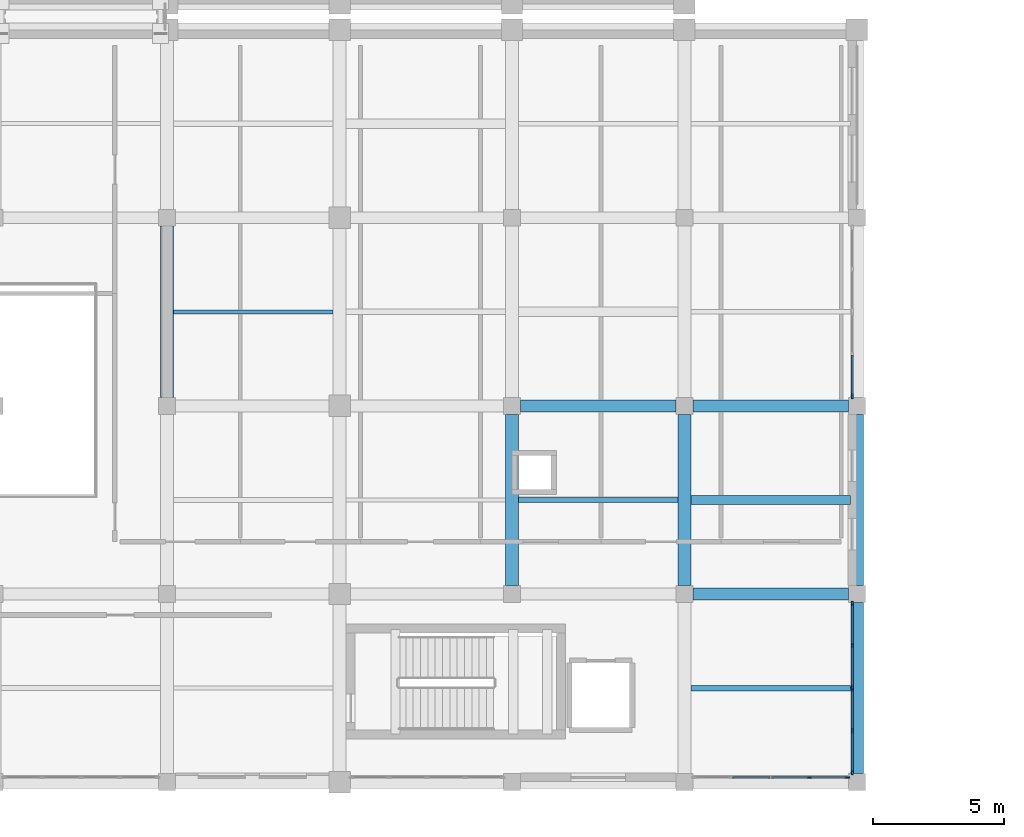
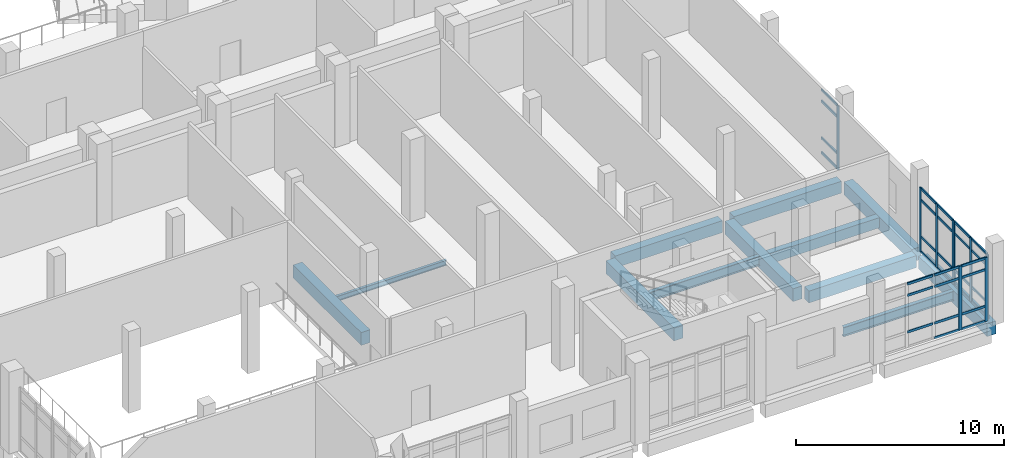
# One storey, part 10 of 73: 40 members, 12 beams, 4 elements without a shape of their own.
"""IFC4 building model written with IfcOpenShell, lengths in metres."""

from ifc_helpers import new_model, si_unit, direction, frame, origin, origin_2d, place, context, subcontext, project, spatial, rectangle, i_section, extrude, material, layer, layer_set, material_profile, profile_set, type_object, element, aggregate, save


model = new_model("IFC4")

# Units and contexts
model_context = context("Model", 3, precision=1e-05, world=origin(), true_north=direction((0.0, 1.0)))
body_context = subcontext(model_context, "Body", "Model", "MODEL_VIEW")
ifc_project = project(units=[si_unit("LENGTHUNIT", "METRE"), si_unit("AREAUNIT", "SQUARE_METRE"), si_unit("VOLUMEUNIT", "CUBIC_METRE"), si_unit("PLANEANGLEUNIT", "RADIAN"), si_unit("MASSUNIT", "GRAM", prefix="KILO")], contexts=[model_context])

# Site, building, storey
site_placement = place(None, origin())
site = spatial("IfcSite", under=ifc_project, at=site_placement, CompositionType="ELEMENT")
building_placement = place(site_placement, origin())
building = spatial("IfcBuilding", under=site, at=building_placement, Name="Kelarvand Opera House", CompositionType="ELEMENT")
storey_placement = place(building_placement, frame((0.0, 0.0, 10.199951171875)))
storey = spatial("IfcBuildingStorey", under=building, at=storey_placement, Name="L02", CompositionType="ELEMENT", Elevation=10.199951171875)

# Curtain wall, member
ifc_material_1 = material(Name="Thermally broken aluminium and low-E glazing", Category="aluminium")
ifc_layer_1 = layer(ifc_material_1, 0.179931640625, Name="Thermally broken aluminium and low-E glazing", Category="aluminium")
ifc_layer_set_1 = layer_set([ifc_layer_1], Name="Thermally broken aluminium and low-E glazing")
curtain_wall_type_1 = type_object("IfcCurtainWallType", Name="Unitised Low-E Curtain Wall 3261x3750 Mod 1350 CWF-26", PredefinedType="USERDEFINED", material=ifc_layer_set_1)
curtain_wall_1_placement = place(storey_placement, origin())
curtain_wall_1 = element("IfcCurtainWall", 1, at=curtain_wall_1_placement, inside=storey, type_object=curtain_wall_type_1, Name="V6 L02 Curtain Wall CWF-26 (218)", ObjectType="UNITISED CURTAIN WALL", PredefinedType="USERDEFINED")
ifc_material_2 = material(Name="Thermally broken anodised aluminium", Category="aluminium")
ifc_material_profile_1 = material_profile(ifc_material_2, rectangle(XDim=0.06494140625, YDim=0.179931640625, at=origin_2d()), Name="ALU MULLION 65x180", Category="aluminium")
ifc_profile_set_1 = profile_set([ifc_material_profile_1], Name="Thermally broken anodised aluminium")
member_type_1 = type_object("IfcMemberType", Name="Curtain Wall Mullion 65x180 Aluminium", PredefinedType="MULLION", material=ifc_profile_set_1)
member_1_placement = place(storey_placement, frame((135.02001953125, 23.767578125, 0.0), z_axis=(0.0, 0.0, 1.0), x_axis=(1.0, 0.0, 0.0)))
member_1 = element("IfcMember", 2, at=member_1_placement, type_object=member_type_1, Name="CWF-26 mullion 3", PredefinedType="MULLION", context=body_context, shape_type="SweptSolid", body=[
    extrude(rectangle(XDim=0.06494140625, YDim=0.179931640625, at=origin_2d()), origin(), (0.0, 0.0, 1.0), 3.75),
])

# Curtain wall, members
curtain_wall_2_placement = place(storey_placement, origin())
curtain_wall_2 = element("IfcCurtainWall", 3, at=curtain_wall_2_placement, inside=storey, type_object=curtain_wall_type_1, Name="V6 L02 Curtain Wall CWF-26 (219)", ObjectType="UNITISED CURTAIN WALL", PredefinedType="USERDEFINED")
member_2_placement = place(storey_placement, frame((135.02001953125, 15.83251953125, 0.0), z_axis=(0.0, 0.0, 1.0), x_axis=(1.0, 0.0, 0.0)))
member_2 = element("IfcMember", 4, at=member_2_placement, type_object=member_type_1, Name="CWF-26 mullion 1", PredefinedType="MULLION", context=body_context, shape_type="SweptSolid", body=[
    extrude(rectangle(XDim=0.06494140625, YDim=0.179931640625, at=origin_2d()), origin(), (0.0, 0.0, 1.0), 3.75),
])
member_3_placement = place(storey_placement, frame((135.02001953125, 14.234619140625, 0.0), z_axis=(0.0, 0.0, 1.0), x_axis=(1.0, 0.0, 0.0)))
member_3 = element("IfcMember", 5, at=member_3_placement, type_object=member_type_1, Name="CWF-26 mullion 2", PredefinedType="MULLION", context=body_context, shape_type="SweptSolid", body=[
    extrude(rectangle(XDim=0.06494140625, YDim=0.179931640625, at=origin_2d()), origin(), (0.0, 0.0, 1.0), 3.75),
])
member_4_placement = place(storey_placement, frame((135.02001953125, 12.636474609375, 0.0), z_axis=(0.0, 0.0, 1.0), x_axis=(1.0, 0.0, 0.0)))
member_4 = element("IfcMember", 6, at=member_4_placement, type_object=member_type_1, Name="CWF-26 mullion 3", PredefinedType="MULLION", context=body_context, shape_type="SweptSolid", body=[
    extrude(rectangle(XDim=0.06494140625, YDim=0.179931640625, at=origin_2d()), origin(), (0.0, 0.0, 1.0), 3.75),
])

curtain_wall_3_placement = place(storey_placement, origin())
curtain_wall_3 = element("IfcCurtainWall", 7, at=curtain_wall_3_placement, inside=storey, type_object=curtain_wall_type_1, Name="V6 L02 Curtain Wall CWF-26 (220)", ObjectType="UNITISED CURTAIN WALL", PredefinedType="USERDEFINED")
member_5_placement = place(storey_placement, frame((135.02001953125, 12.5673828125, 0.0), z_axis=(0.0, 0.0, 1.0), x_axis=(1.0, 0.0, 0.0)))
member_5 = element("IfcMember", 8, at=member_5_placement, type_object=member_type_1, Name="CWF-26 mullion 1", PredefinedType="MULLION", context=body_context, shape_type="SweptSolid", body=[
    extrude(rectangle(XDim=0.06494140625, YDim=0.179931640625, at=origin_2d()), origin(), (0.0, 0.0, 1.0), 3.75),
])
member_6_placement = place(storey_placement, frame((135.02001953125, 10.967529296875, 0.0), z_axis=(0.0, 0.0, 1.0), x_axis=(1.0, 0.0, 0.0)))
member_6 = element("IfcMember", 9, at=member_6_placement, type_object=member_type_1, Name="CWF-26 mullion 2", PredefinedType="MULLION", context=body_context, shape_type="SweptSolid", body=[
    extrude(rectangle(XDim=0.06494140625, YDim=0.179931640625, at=origin_2d()), origin(), (0.0, 0.0, 1.0), 3.75),
])
member_7_placement = place(storey_placement, frame((135.02001953125, 9.367431640625, 0.0), z_axis=(0.0, 0.0, 1.0), x_axis=(1.0, 0.0, 0.0)))
member_7 = element("IfcMember", 10, at=member_7_placement, type_object=member_type_1, Name="CWF-26 mullion 3", PredefinedType="MULLION", context=body_context, shape_type="SweptSolid", body=[
    extrude(rectangle(XDim=0.06494140625, YDim=0.179931640625, at=origin_2d()), origin(), (0.0, 0.0, 1.0), 3.75),
])

ifc_layer_2 = layer(ifc_material_1, 0.179931640625, Name="Thermally broken aluminium and low-E glazing", Category="aluminium")
ifc_layer_set_2 = layer_set([ifc_layer_2], Name="Thermally broken aluminium and low-E glazing")
curtain_wall_type_2 = type_object("IfcCurtainWallType", Name="Unitised Low-E Curtain Wall 5930x3750 Mod 1350 CWF-55", PredefinedType="USERDEFINED", material=ifc_layer_set_2)
curtain_wall_4_placement = place(storey_placement, origin())
curtain_wall_4 = element("IfcCurtainWall", 11, at=curtain_wall_4_placement, inside=storey, type_object=curtain_wall_type_2, Name="V6 L02 Curtain Wall CWF-55 (225)", ObjectType="UNITISED CURTAIN WALL", PredefinedType="USERDEFINED")
member_8_placement = place(storey_placement, frame((134.83251953125, 9.179931640625, 0.0), z_axis=(0.0, 0.0, 1.0), x_axis=(0.0, -1.0, 0.0)))
member_8 = element("IfcMember", 12, at=member_8_placement, type_object=member_type_1, Name="CWF-55 mullion 1", PredefinedType="MULLION", context=body_context, shape_type="SweptSolid", body=[
    extrude(rectangle(XDim=0.06494140625, YDim=0.179931640625, at=origin_2d()), origin(), (0.0, 0.0, 1.0), 3.75),
])
member_9_placement = place(storey_placement, frame((133.382568359375, 9.179931640625, 0.0), z_axis=(0.0, 0.0, 1.0), x_axis=(0.0, -1.0, 0.0)))
member_9 = element("IfcMember", 13, at=member_9_placement, type_object=member_type_1, Name="CWF-55 mullion 2", PredefinedType="MULLION", context=body_context, shape_type="SweptSolid", body=[
    extrude(rectangle(XDim=0.06494140625, YDim=0.179931640625, at=origin_2d()), origin(), (0.0, 0.0, 1.0), 3.75),
])

# Member
ifc_material_profile_2 = material_profile(ifc_material_2, rectangle(XDim=0.06494140625, YDim=0.139892578125, at=origin_2d()), Name="ALU TRANSOM 65x140", Category="aluminium")
ifc_profile_set_2 = profile_set([ifc_material_profile_2], Name="Thermally broken anodised aluminium")
member_type_2 = type_object("IfcMemberType", Name="Curtain Wall Transom 65x140 Aluminium", PredefinedType="USERDEFINED", material=ifc_profile_set_2)
member_10_placement = place(storey_placement, frame((135.02001953125, 25.3349609375, 0.032470703125), z_axis=(0.0, -1.0, 0.0), x_axis=(1.0, 0.0, 0.0)))
member_10 = element("IfcMember", 14, at=member_10_placement, type_object=member_type_2, Name="CWF-26 transom 2.1", ObjectType="TRANSOM", PredefinedType="USERDEFINED", context=body_context, shape_type="SweptSolid", body=[
    extrude(rectangle(XDim=0.06494140625, YDim=0.139892578125, at=origin_2d()), origin(), (0.0, 0.0, 1.0), 1.534912109375),
])

member_11_placement = place(storey_placement, frame((135.02001953125, 25.3349609375, 0.900146484375), z_axis=(0.0, -1.0, 0.0), x_axis=(1.0, 0.0, 0.0)))
member_11 = element("IfcMember", 15, at=member_11_placement, type_object=member_type_2, Name="CWF-26 transom 2.2", ObjectType="TRANSOM", PredefinedType="USERDEFINED", context=body_context, shape_type="SweptSolid", body=[
    extrude(rectangle(XDim=0.06494140625, YDim=0.139892578125, at=origin_2d()), origin(), (0.0, 0.0, 1.0), 1.534912109375),
])

member_12_placement = place(storey_placement, frame((135.02001953125, 25.3349609375, 3.050048828125), z_axis=(0.0, -1.0, 0.0), x_axis=(1.0, 0.0, 0.0)))
member_12 = element("IfcMember", 16, at=member_12_placement, type_object=member_type_2, Name="CWF-26 transom 2.3", ObjectType="TRANSOM", PredefinedType="USERDEFINED", context=body_context, shape_type="SweptSolid", body=[
    extrude(rectangle(XDim=0.06494140625, YDim=0.139892578125, at=origin_2d()), origin(), (0.0, 0.0, 1.0), 1.534912109375),
])

member_13_placement = place(storey_placement, frame((135.02001953125, 25.3349609375, 3.717529296875), z_axis=(0.0, -1.0, 0.0), x_axis=(1.0, 0.0, 0.0)))
member_13 = element("IfcMember", 17, at=member_13_placement, type_object=member_type_2, Name="CWF-26 transom 2.4", ObjectType="TRANSOM", PredefinedType="USERDEFINED", context=body_context, shape_type="SweptSolid", body=[
    extrude(rectangle(XDim=0.06494140625, YDim=0.139892578125, at=origin_2d()), origin(), (0.0, 0.0, 1.0), 1.534912109375),
])

aggregate(curtain_wall_1, [member_1, member_10, member_11, member_12, member_13])

member_14_placement = place(storey_placement, frame((135.02001953125, 15.800048828125, 0.032470703125), z_axis=(0.0, -1.0, 0.0), x_axis=(1.0, 0.0, 0.0)))
member_14 = element("IfcMember", 18, at=member_14_placement, type_object=member_type_2, Name="CWF-26 transom 1.1", ObjectType="TRANSOM", PredefinedType="USERDEFINED", context=body_context, shape_type="SweptSolid", body=[
    extrude(rectangle(XDim=0.06494140625, YDim=0.139892578125, at=origin_2d()), origin(), (0.0, 0.0, 1.0), 1.532958984375),
])

member_15_placement = place(storey_placement, frame((135.02001953125, 15.800048828125, 0.900146484375), z_axis=(0.0, -1.0, 0.0), x_axis=(1.0, 0.0, 0.0)))
member_15 = element("IfcMember", 19, at=member_15_placement, type_object=member_type_2, Name="CWF-26 transom 1.2", ObjectType="TRANSOM", PredefinedType="USERDEFINED", context=body_context, shape_type="SweptSolid", body=[
    extrude(rectangle(XDim=0.06494140625, YDim=0.139892578125, at=origin_2d()), origin(), (0.0, 0.0, 1.0), 1.532958984375),
])

member_16_placement = place(storey_placement, frame((135.02001953125, 15.800048828125, 3.050048828125), z_axis=(0.0, -1.0, 0.0), x_axis=(1.0, 0.0, 0.0)))
member_16 = element("IfcMember", 20, at=member_16_placement, type_object=member_type_2, Name="CWF-26 transom 1.3", ObjectType="TRANSOM", PredefinedType="USERDEFINED", context=body_context, shape_type="SweptSolid", body=[
    extrude(rectangle(XDim=0.06494140625, YDim=0.139892578125, at=origin_2d()), origin(), (0.0, 0.0, 1.0), 1.532958984375),
])

member_17_placement = place(storey_placement, frame((135.02001953125, 15.800048828125, 3.717529296875), z_axis=(0.0, -1.0, 0.0), x_axis=(1.0, 0.0, 0.0)))
member_17 = element("IfcMember", 21, at=member_17_placement, type_object=member_type_2, Name="CWF-26 transom 1.4", ObjectType="TRANSOM", PredefinedType="USERDEFINED", context=body_context, shape_type="SweptSolid", body=[
    extrude(rectangle(XDim=0.06494140625, YDim=0.139892578125, at=origin_2d()), origin(), (0.0, 0.0, 1.0), 1.532958984375),
])

member_18_placement = place(storey_placement, frame((135.02001953125, 14.201904296875, 0.032470703125), z_axis=(0.0, -1.0, 0.0), x_axis=(1.0, 0.0, 0.0)))
member_18 = element("IfcMember", 22, at=member_18_placement, type_object=member_type_2, Name="CWF-26 transom 2.1", ObjectType="TRANSOM", PredefinedType="USERDEFINED", context=body_context, shape_type="SweptSolid", body=[
    extrude(rectangle(XDim=0.06494140625, YDim=0.139892578125, at=origin_2d()), origin(), (0.0, 0.0, 1.0), 1.532958984375),
])

member_19_placement = place(storey_placement, frame((135.02001953125, 14.201904296875, 0.900146484375), z_axis=(0.0, -1.0, 0.0), x_axis=(1.0, 0.0, 0.0)))
member_19 = element("IfcMember", 23, at=member_19_placement, type_object=member_type_2, Name="CWF-26 transom 2.2", ObjectType="TRANSOM", PredefinedType="USERDEFINED", context=body_context, shape_type="SweptSolid", body=[
    extrude(rectangle(XDim=0.06494140625, YDim=0.139892578125, at=origin_2d()), origin(), (0.0, 0.0, 1.0), 1.532958984375),
])

member_20_placement = place(storey_placement, frame((135.02001953125, 14.201904296875, 3.050048828125), z_axis=(0.0, -1.0, 0.0), x_axis=(1.0, 0.0, 0.0)))
member_20 = element("IfcMember", 24, at=member_20_placement, type_object=member_type_2, Name="CWF-26 transom 2.3", ObjectType="TRANSOM", PredefinedType="USERDEFINED", context=body_context, shape_type="SweptSolid", body=[
    extrude(rectangle(XDim=0.06494140625, YDim=0.139892578125, at=origin_2d()), origin(), (0.0, 0.0, 1.0), 1.532958984375),
])

member_21_placement = place(storey_placement, frame((135.02001953125, 14.201904296875, 3.717529296875), z_axis=(0.0, -1.0, 0.0), x_axis=(1.0, 0.0, 0.0)))
member_21 = element("IfcMember", 25, at=member_21_placement, type_object=member_type_2, Name="CWF-26 transom 2.4", ObjectType="TRANSOM", PredefinedType="USERDEFINED", context=body_context, shape_type="SweptSolid", body=[
    extrude(rectangle(XDim=0.06494140625, YDim=0.139892578125, at=origin_2d()), origin(), (0.0, 0.0, 1.0), 1.532958984375),
])

aggregate(curtain_wall_2, [member_2, member_3, member_4, member_14, member_15, member_16, member_17, member_18, member_19, member_20, member_21])

member_22_placement = place(storey_placement, frame((135.02001953125, 12.534912109375, 0.032470703125), z_axis=(0.0, -1.0, 0.0), x_axis=(1.0, 0.0, 0.0)))
member_22 = element("IfcMember", 26, at=member_22_placement, type_object=member_type_2, Name="CWF-26 transom 1.1", ObjectType="TRANSOM", PredefinedType="USERDEFINED", context=body_context, shape_type="SweptSolid", body=[
    extrude(rectangle(XDim=0.06494140625, YDim=0.139892578125, at=origin_2d()), origin(), (0.0, 0.0, 1.0), 1.534912109375),
])

member_23_placement = place(storey_placement, frame((135.02001953125, 12.534912109375, 0.900146484375), z_axis=(0.0, -1.0, 0.0), x_axis=(1.0, 0.0, 0.0)))
member_23 = element("IfcMember", 27, at=member_23_placement, type_object=member_type_2, Name="CWF-26 transom 1.2", ObjectType="TRANSOM", PredefinedType="USERDEFINED", context=body_context, shape_type="SweptSolid", body=[
    extrude(rectangle(XDim=0.06494140625, YDim=0.139892578125, at=origin_2d()), origin(), (0.0, 0.0, 1.0), 1.534912109375),
])

member_24_placement = place(storey_placement, frame((135.02001953125, 12.534912109375, 3.050048828125), z_axis=(0.0, -1.0, 0.0), x_axis=(1.0, 0.0, 0.0)))
member_24 = element("IfcMember", 28, at=member_24_placement, type_object=member_type_2, Name="CWF-26 transom 1.3", ObjectType="TRANSOM", PredefinedType="USERDEFINED", context=body_context, shape_type="SweptSolid", body=[
    extrude(rectangle(XDim=0.06494140625, YDim=0.139892578125, at=origin_2d()), origin(), (0.0, 0.0, 1.0), 1.534912109375),
])

member_25_placement = place(storey_placement, frame((135.02001953125, 12.534912109375, 3.717529296875), z_axis=(0.0, -1.0, 0.0), x_axis=(1.0, 0.0, 0.0)))
member_25 = element("IfcMember", 29, at=member_25_placement, type_object=member_type_2, Name="CWF-26 transom 1.4", ObjectType="TRANSOM", PredefinedType="USERDEFINED", context=body_context, shape_type="SweptSolid", body=[
    extrude(rectangle(XDim=0.06494140625, YDim=0.139892578125, at=origin_2d()), origin(), (0.0, 0.0, 1.0), 1.534912109375),
])

member_26_placement = place(storey_placement, frame((135.02001953125, 10.93505859375, 0.032470703125), z_axis=(0.0, -1.0, 0.0), x_axis=(1.0, 0.0, 0.0)))
member_26 = element("IfcMember", 30, at=member_26_placement, type_object=member_type_2, Name="CWF-26 transom 2.1", ObjectType="TRANSOM", PredefinedType="USERDEFINED", context=body_context, shape_type="SweptSolid", body=[
    extrude(rectangle(XDim=0.06494140625, YDim=0.139892578125, at=origin_2d()), origin(), (0.0, 0.0, 1.0), 1.53515625),
])

member_27_placement = place(storey_placement, frame((135.02001953125, 10.93505859375, 0.900146484375), z_axis=(0.0, -1.0, 0.0), x_axis=(1.0, 0.0, 0.0)))
member_27 = element("IfcMember", 31, at=member_27_placement, type_object=member_type_2, Name="CWF-26 transom 2.2", ObjectType="TRANSOM", PredefinedType="USERDEFINED", context=body_context, shape_type="SweptSolid", body=[
    extrude(rectangle(XDim=0.06494140625, YDim=0.139892578125, at=origin_2d()), origin(), (0.0, 0.0, 1.0), 1.53515625),
])

member_28_placement = place(storey_placement, frame((135.02001953125, 10.93505859375, 3.050048828125), z_axis=(0.0, -1.0, 0.0), x_axis=(1.0, 0.0, 0.0)))
member_28 = element("IfcMember", 32, at=member_28_placement, type_object=member_type_2, Name="CWF-26 transom 2.3", ObjectType="TRANSOM", PredefinedType="USERDEFINED", context=body_context, shape_type="SweptSolid", body=[
    extrude(rectangle(XDim=0.06494140625, YDim=0.139892578125, at=origin_2d()), origin(), (0.0, 0.0, 1.0), 1.53515625),
])

member_29_placement = place(storey_placement, frame((135.02001953125, 10.93505859375, 3.717529296875), z_axis=(0.0, -1.0, 0.0), x_axis=(1.0, 0.0, 0.0)))
member_29 = element("IfcMember", 33, at=member_29_placement, type_object=member_type_2, Name="CWF-26 transom 2.4", ObjectType="TRANSOM", PredefinedType="USERDEFINED", context=body_context, shape_type="SweptSolid", body=[
    extrude(rectangle(XDim=0.06494140625, YDim=0.139892578125, at=origin_2d()), origin(), (0.0, 0.0, 1.0), 1.53515625),
])

aggregate(curtain_wall_3, [member_5, member_6, member_7, member_22, member_23, member_24, member_25, member_26, member_27, member_28, member_29])

member_30_placement = place(storey_placement, frame((134.800048828125, 9.179931640625, 0.032470703125), z_axis=(-1.0, 0.0, 0.0), x_axis=(0.0, -1.0, 0.0)))
member_30 = element("IfcMember", 34, at=member_30_placement, type_object=member_type_2, Name="CWF-55 transom 1.1", ObjectType="TRANSOM", PredefinedType="USERDEFINED", context=body_context, shape_type="SweptSolid", body=[
    extrude(rectangle(XDim=0.06494140625, YDim=0.139892578125, at=origin_2d()), origin(), (0.0, 0.0, 1.0), 1.385009765625),
])

member_31_placement = place(storey_placement, frame((134.800048828125, 9.179931640625, 0.900146484375), z_axis=(-1.0, 0.0, 0.0), x_axis=(0.0, -1.0, 0.0)))
member_31 = element("IfcMember", 35, at=member_31_placement, type_object=member_type_2, Name="CWF-55 transom 1.2", ObjectType="TRANSOM", PredefinedType="USERDEFINED", context=body_context, shape_type="SweptSolid", body=[
    extrude(rectangle(XDim=0.06494140625, YDim=0.139892578125, at=origin_2d()), origin(), (0.0, 0.0, 1.0), 1.385009765625),
])

member_32_placement = place(storey_placement, frame((134.800048828125, 9.179931640625, 3.050048828125), z_axis=(-1.0, 0.0, 0.0), x_axis=(0.0, -1.0, 0.0)))
member_32 = element("IfcMember", 36, at=member_32_placement, type_object=member_type_2, Name="CWF-55 transom 1.3", ObjectType="TRANSOM", PredefinedType="USERDEFINED", context=body_context, shape_type="SweptSolid", body=[
    extrude(rectangle(XDim=0.06494140625, YDim=0.139892578125, at=origin_2d()), origin(), (0.0, 0.0, 1.0), 1.385009765625),
])

member_33_placement = place(storey_placement, frame((134.800048828125, 9.179931640625, 3.717529296875), z_axis=(-1.0, 0.0, 0.0), x_axis=(0.0, -1.0, 0.0)))
member_33 = element("IfcMember", 37, at=member_33_placement, type_object=member_type_2, Name="CWF-55 transom 1.4", ObjectType="TRANSOM", PredefinedType="USERDEFINED", context=body_context, shape_type="SweptSolid", body=[
    extrude(rectangle(XDim=0.06494140625, YDim=0.139892578125, at=origin_2d()), origin(), (0.0, 0.0, 1.0), 1.385009765625),
])

member_34_placement = place(storey_placement, frame((133.35009765625, 9.179931640625, 0.032470703125), z_axis=(-1.0, 0.0, 0.0), x_axis=(0.0, -1.0, 0.0)))
member_34 = element("IfcMember", 38, at=member_34_placement, type_object=member_type_2, Name="CWF-55 transom 2.1", ObjectType="TRANSOM", PredefinedType="USERDEFINED", context=body_context, shape_type="SweptSolid", body=[
    extrude(rectangle(XDim=0.06494140625, YDim=0.139892578125, at=origin_2d()), origin(), (0.0, 0.0, 1.0), 1.41748046875),
])

member_35_placement = place(storey_placement, frame((133.35009765625, 9.179931640625, 0.900146484375), z_axis=(-1.0, 0.0, 0.0), x_axis=(0.0, -1.0, 0.0)))
member_35 = element("IfcMember", 39, at=member_35_placement, type_object=member_type_2, Name="CWF-55 transom 2.2", ObjectType="TRANSOM", PredefinedType="USERDEFINED", context=body_context, shape_type="SweptSolid", body=[
    extrude(rectangle(XDim=0.06494140625, YDim=0.139892578125, at=origin_2d()), origin(), (0.0, 0.0, 1.0), 1.41748046875),
])

member_36_placement = place(storey_placement, frame((133.35009765625, 9.179931640625, 3.050048828125), z_axis=(-1.0, 0.0, 0.0), x_axis=(0.0, -1.0, 0.0)))
member_36 = element("IfcMember", 40, at=member_36_placement, type_object=member_type_2, Name="CWF-55 transom 2.3", ObjectType="TRANSOM", PredefinedType="USERDEFINED", context=body_context, shape_type="SweptSolid", body=[
    extrude(rectangle(XDim=0.06494140625, YDim=0.139892578125, at=origin_2d()), origin(), (0.0, 0.0, 1.0), 1.41748046875),
])

member_37_placement = place(storey_placement, frame((133.35009765625, 9.179931640625, 3.717529296875), z_axis=(-1.0, 0.0, 0.0), x_axis=(0.0, -1.0, 0.0)))
member_37 = element("IfcMember", 41, at=member_37_placement, type_object=member_type_2, Name="CWF-55 transom 2.4", ObjectType="TRANSOM", PredefinedType="USERDEFINED", context=body_context, shape_type="SweptSolid", body=[
    extrude(rectangle(XDim=0.06494140625, YDim=0.139892578125, at=origin_2d()), origin(), (0.0, 0.0, 1.0), 1.41748046875),
])

member_38_placement = place(storey_placement, frame((131.867431640625, 9.179931640625, 0.900146484375), z_axis=(-1.0, 0.0, 0.0), x_axis=(0.0, -1.0, 0.0)))
member_38 = element("IfcMember", 42, at=member_38_placement, type_object=member_type_2, Name="CWF-55 transom 3.2", ObjectType="TRANSOM", PredefinedType="USERDEFINED", context=body_context, shape_type="SweptSolid", body=[
    extrude(rectangle(XDim=0.06494140625, YDim=0.139892578125, at=origin_2d()), origin(), (0.0, 0.0, 1.0), 1.41748046875),
])

member_39_placement = place(storey_placement, frame((131.867431640625, 9.179931640625, 3.050048828125), z_axis=(-1.0, 0.0, 0.0), x_axis=(0.0, -1.0, 0.0)))
member_39 = element("IfcMember", 43, at=member_39_placement, type_object=member_type_2, Name="CWF-55 transom 3.3", ObjectType="TRANSOM", PredefinedType="USERDEFINED", context=body_context, shape_type="SweptSolid", body=[
    extrude(rectangle(XDim=0.06494140625, YDim=0.139892578125, at=origin_2d()), origin(), (0.0, 0.0, 1.0), 1.41748046875),
])

member_40_placement = place(storey_placement, frame((131.867431640625, 9.179931640625, 3.717529296875), z_axis=(-1.0, 0.0, 0.0), x_axis=(0.0, -1.0, 0.0)))
member_40 = element("IfcMember", 44, at=member_40_placement, type_object=member_type_2, Name="CWF-55 transom 3.4", ObjectType="TRANSOM", PredefinedType="USERDEFINED", context=body_context, shape_type="SweptSolid", body=[
    extrude(rectangle(XDim=0.06494140625, YDim=0.139892578125, at=origin_2d()), origin(), (0.0, 0.0, 1.0), 1.41748046875),
])

aggregate(curtain_wall_4, [member_8, member_9, member_30, member_31, member_32, member_33, member_34, member_35, member_36, member_37, member_38, member_39, member_40])

# Beams
ifc_material_3 = material(Name="Concrete C35/45", Category="concrete")
ifc_material_profile_3 = material_profile(ifc_material_3, rectangle(XDim=0.35009765625, YDim=0.60009765625, at=origin_2d()), Name="RC 350x600", Category="concrete")
ifc_profile_set_3 = profile_set([ifc_material_profile_3], Name="Concrete C35/45")
beam_type_1 = type_object("IfcBeamType", Name="Structural Beam RC 350x600 BM-RC350x600", PredefinedType="BEAM", material=ifc_profile_set_3)
beam_1_placement = place(storey_placement, frame((128.85009765625, 19.800048828125, -0.599853515625), z_axis=(1.0, 0.0, 0.0), x_axis=(0.0, 1.0, 0.0)))
element("IfcBeam", 45, at=beam_1_placement, inside=storey, type_object=beam_type_1, Name="V6 L02 Beam BM-RC350x600", PredefinedType="BEAM", context=body_context, shape_type="SweptSolid", body=[
    extrude(rectangle(XDim=0.35009765625, YDim=0.60009765625, at=origin_2d()), origin(), (0.0, 0.0, 1.0), 6.099853515625),
])
ifc_material_4 = material(Name="Concrete C40/50", Category="concrete")
ifc_material_profile_4 = material_profile(ifc_material_4, rectangle(XDim=0.449951171875, YDim=0.699951171875, at=origin_2d()), Name="RC 450x700", Category="concrete")
ifc_profile_set_4 = profile_set([ifc_material_profile_4], Name="Concrete C40/50")
beam_type_2 = type_object("IfcBeamType", Name="Structural Beam RC 450x700 BM-RC450x700", PredefinedType="BEAM", material=ifc_profile_set_4)
for number, where, z_axis, x_axis, name in (
    (46, (128.925048828125, 16.199951171875, -0.64990234375), (1.0, 0.0, 0.0), (0.0, 1.0, 0.0), "V6 L02 Beam BM-RC450x700"),
    (47, (122.324951171875, 23.39990234375, -0.64990234375), (1.0, 0.0, 0.0), (0.0, 1.0, 0.0), "V6 L02 Beam BM-RC450x700"),
    (48, (128.925048828125, 23.39990234375, -0.64990234375), (1.0, 0.0, 0.0), (0.0, 1.0, 0.0), "V6 L02 Beam BM-RC450x700"),
):
    element("IfcBeam", number, at=place(storey_placement, frame(where, z_axis=z_axis, x_axis=x_axis)), inside=storey, type_object=beam_type_2, Name=name, PredefinedType="BEAM", context=body_context, shape_type="SweptSolid", body=[
        extrude(rectangle(XDim=0.449951171875, YDim=0.699951171875, at=origin_2d()), origin(), (0.0, 0.0, 1.0), 5.949951171875),
    ])
ifc_material_profile_5 = material_profile(ifc_material_4, rectangle(XDim=0.5, YDim=0.75, at=origin_2d()), Name="RC 500x750", Category="concrete")
ifc_profile_set_5 = profile_set([ifc_material_profile_5], Name="Concrete C40/50")
beam_type_3 = type_object("IfcBeamType", Name="Structural Beam RC 500x750 BM-RC500x750", PredefinedType="BEAM", material=ifc_profile_set_5)
beam_2_placement = place(storey_placement, frame((108.800048828125, 23.72509765625, -0.675048828125), z_axis=(0.0, 1.0, 0.0), x_axis=(-1.0, 0.0, 0.0)))
element("IfcBeam", 49, at=beam_2_placement, inside=storey, type_object=beam_type_3, Name="V6 L02 Beam BM-RC500x750", PredefinedType="BEAM", context=body_context, shape_type="SweptSolid", body=[
    extrude(rectangle(XDim=0.5, YDim=0.75, at=origin_2d()), origin(), (0.0, 0.0, 1.0), 6.5498046875),
])
for number, where, z_axis, x_axis, name in (
    (50, (122.0, 16.52490234375, -0.675048828125), (0.0, 1.0, 0.0), (-1.0, 0.0, 0.0), "V6 L02 Beam BM-RC500x750"),
    (51, (128.60009765625, 16.52490234375, -0.675048828125), (0.0, 1.0, 0.0), (-1.0, 0.0, 0.0), "V6 L02 Beam BM-RC500x750"),
    (52, (135.199951171875, 9.324951171875, -0.675048828125), (0.0, 1.0, 0.0), (-1.0, 0.0, 0.0), "V6 L02 Beam BM-RC500x750"),
    (53, (135.199951171875, 16.52490234375, -0.675048828125), (0.0, 1.0, 0.0), (-1.0, 0.0, 0.0), "V6 L02 Beam BM-RC500x750"),
):
    element("IfcBeam", number, at=place(storey_placement, frame(where, z_axis=z_axis, x_axis=x_axis)), inside=storey, type_object=beam_type_3, Name=name, PredefinedType="BEAM", context=body_context, shape_type="SweptSolid", body=[
        extrude(rectangle(XDim=0.5, YDim=0.75, at=origin_2d()), origin(), (0.0, 0.0, 1.0), 6.550048828125),
    ])
ifc_material_5 = material(Name="Steel S355", Category="steel")
ifc_material_profile_6 = material_profile(ifc_material_5, i_section(OverallWidth=0.14990234375, OverallDepth=0.300048828125, WebThickness=0.007080078125, FlangeThickness=0.0107421875, at=origin_2d()), Name="IPE 300", Category="steel")
ifc_profile_set_6 = profile_set([ifc_material_profile_6], Name="Steel S355")
beam_type_4 = type_object("IfcBeamType", Name="Structural Joist IPE 300 JS-IPE300", PredefinedType="JOIST", material=ifc_profile_set_6)
beam_3_placement = place(storey_placement, frame((109.050048828125, 27.0, -0.449951171875), z_axis=(1.0, 0.0, 0.0), x_axis=(0.0, 1.0, 0.0)))
element("IfcBeam", 54, at=beam_3_placement, inside=storey, type_object=beam_type_4, Name="V6 L02 Beam JS-IPE300", PredefinedType="JOIST", context=body_context, shape_type="SweptSolid", body=[
    extrude(i_section(OverallWidth=0.14990234375, OverallDepth=0.300048828125, WebThickness=0.007080078125, FlangeThickness=0.0107421875, at=origin_2d()), origin(), (0.0, 0.0, 1.0), 6.099853515625),
])
ifc_material_profile_7 = material_profile(ifc_material_5, i_section(OverallWidth=0.2099609375, OverallDepth=0.550048828125, WebThickness=0.010986328125, FlangeThickness=0.01708984375, at=origin_2d()), Name="IPE 550", Category="steel")
ifc_profile_set_7 = profile_set([ifc_material_profile_7], Name="Steel S355")
beam_type_5 = type_object("IfcBeamType", Name="Structural Joist IPE 550 JS-IPE550", PredefinedType="JOIST", material=ifc_profile_set_7)
beam_4_placement = place(storey_placement, frame((122.25, 19.800048828125, -0.574951171875), z_axis=(1.0, 0.0, 0.0), x_axis=(0.0, 1.0, 0.0)))
element("IfcBeam", 55, at=beam_4_placement, inside=storey, type_object=beam_type_5, Name="V6 L02 Beam JS-IPE550", PredefinedType="JOIST", context=body_context, shape_type="SweptSolid", body=[
    extrude(i_section(OverallWidth=0.2099609375, OverallDepth=0.550048828125, WebThickness=0.010986328125, FlangeThickness=0.01708984375, at=origin_2d()), origin(), (0.0, 0.0, 1.0), 6.10009765625),
])
beam_5_placement = place(storey_placement, frame((128.85009765625, 12.60009765625, -0.574951171875), z_axis=(1.0, 0.0, 0.0), x_axis=(0.0, 1.0, 0.0)))
element("IfcBeam", 56, at=beam_5_placement, inside=storey, type_object=beam_type_5, Name="V6 L02 Beam JS-IPE550", PredefinedType="JOIST", context=body_context, shape_type="SweptSolid", body=[
    extrude(i_section(OverallWidth=0.2099609375, OverallDepth=0.550048828125, WebThickness=0.010986328125, FlangeThickness=0.01708984375, at=origin_2d()), origin(), (0.0, 0.0, 1.0), 6.099853515625),
])

save(model, "model.ifc")
